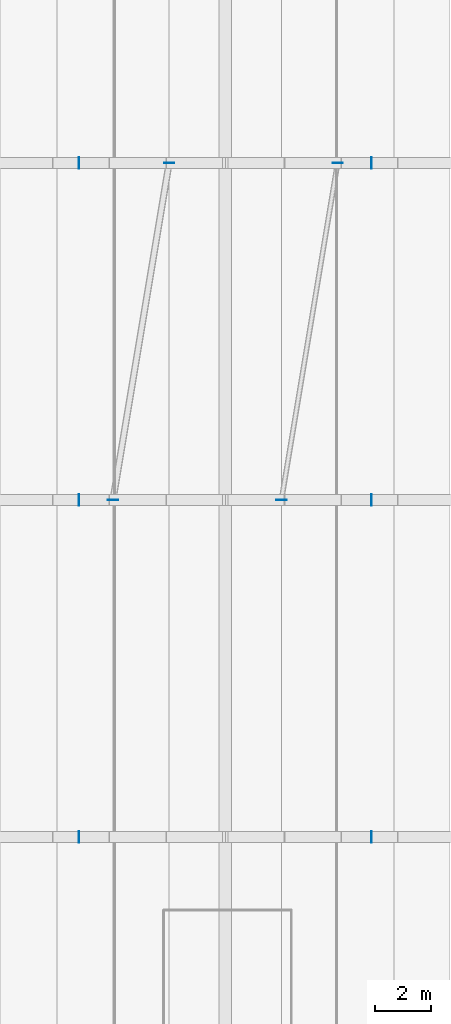
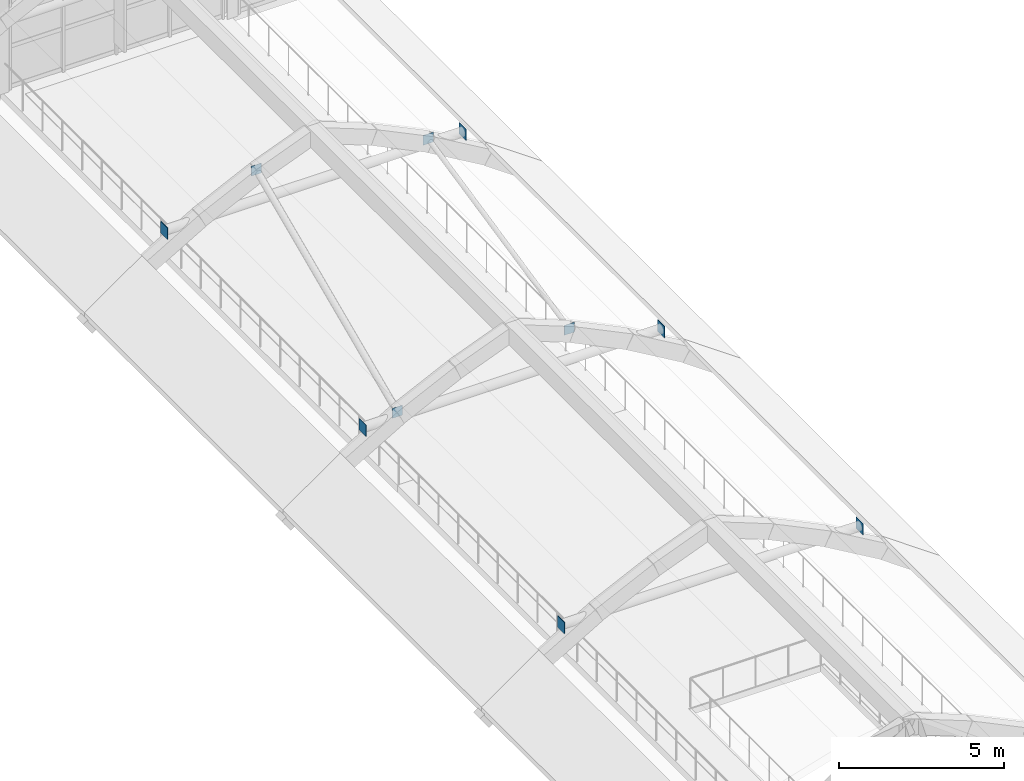
# One storey, part 56 of 82: 10 plates.
"""IFC4 building model written with IfcOpenShell, lengths in metres."""

from ifc_helpers import new_model, si_unit, direction, frame, origin, origin_2d, place, context, subcontext, project, spatial, rectangle, extrude, material, layer, layer_set, type_object, element, save


model = new_model("IFC4")

# Units and contexts
model_context = context("Model", 3, precision=1e-05, world=origin(), true_north=direction((0.0, 1.0)))
body_context = subcontext(model_context, "Body", "Model", "MODEL_VIEW")
ifc_project = project(units=[si_unit("LENGTHUNIT", "METRE"), si_unit("AREAUNIT", "SQUARE_METRE"), si_unit("VOLUMEUNIT", "CUBIC_METRE"), si_unit("PLANEANGLEUNIT", "RADIAN"), si_unit("MASSUNIT", "GRAM", prefix="KILO")], contexts=[model_context])

# Site, building, storey
site_placement = place(None, origin())
site = spatial("IfcSite", under=ifc_project, at=site_placement, CompositionType="ELEMENT")
building_placement = place(site_placement, origin())
building = spatial("IfcBuilding", under=site, at=building_placement, Name="Sitalva Quay Ferry Terminal", CompositionType="ELEMENT")
storey_placement = place(building_placement, frame((0.0, 0.0, 5.39990234375)))
storey = spatial("IfcBuildingStorey", under=building, at=storey_placement, Name="L02", CompositionType="ELEMENT", Elevation=5.39990234375)

# Plates
ifc_material_1 = material(Name="Structural Steel S355JR", Category="steel")
ifc_layer_1 = layer(ifc_material_1, 0.01611328125)
ifc_layer_set_1 = layer_set([ifc_layer_1], Name="Structural Steel S355JR")
plate_type_1 = type_object("IfcPlateType", Name="Gusset_360x360x16", PredefinedType="USERDEFINED", material=ifc_layer_set_1)
for number, where, z_axis, x_axis, name in (
    (1, (16.0, 54.0, 2.53076171875), (0.0, 0.0, 1.0), (1.0, 0.0, 0.0), "Vault V2 wind brace B5.4 S end plate"),
    (2, (18.0, 66.0, 3.4931640625), (0.0, 0.0, 1.0), (1.0, 0.0, 0.0), "Vault V2 wind brace B5.4 N end plate"),
    (3, (22.0, 54.0, 3.4931640625), (0.0, 0.0, 1.0), (1.0, 0.0, 0.0), "Vault V2 wind brace B5.7 S end plate"),
    (4, (24.0, 66.0, 2.53076171875), (0.0, 0.0, 1.0), (1.0, 0.0, 0.0), "Vault V2 wind brace B5.7 N end plate"),
):
    element("IfcPlate", number, at=place(storey_placement, frame(where, z_axis=z_axis, x_axis=x_axis)), inside=storey, type_object=plate_type_1, Name=name, ObjectType="FLANGE_PLATE", PredefinedType="USERDEFINED", context=body_context, shape_type="SweptSolid", body=[
        extrude(rectangle(XDim=0.360107421875, YDim=0.01611328125, at=origin_2d()), origin(), (0.0, 0.0, 1.0), 0.360107421875),
    ])
ifc_material_2 = material(Name="Structural Steel S355JR", Category="steel")
ifc_layer_2 = layer(ifc_material_2, 0.02197265625)
ifc_layer_set_2 = layer_set([ifc_layer_2], Name="Structural Steel S355JR")
plate_type_2 = type_object("IfcPlateType", Name="Gusset_420x420x22", PredefinedType="USERDEFINED", material=ifc_layer_set_2)
for number, where, z_axis, x_axis, name in (
    (5, (14.7890625, 42.0, 2.340087890625), (0.0, 0.0, 1.0), (1.0, 0.0, 0.0), "Vault V2 collar tie 4 west end plate"),
    (6, (25.2109375, 42.0, 2.340087890625), (0.0, 0.0, 1.0), (1.0, 0.0, 0.0), "Vault V2 collar tie 4 east end plate"),
    (7, (14.7890625, 54.0, 2.340087890625), (0.0, 0.0, 1.0), (1.0, 0.0, 0.0), "Vault V2 collar tie 5 west end plate"),
    (8, (25.2109375, 54.0, 2.340087890625), (0.0, 0.0, 1.0), (1.0, 0.0, 0.0), "Vault V2 collar tie 5 east end plate"),
    (9, (14.7890625, 66.0, 2.340087890625), (0.0, 0.0, 1.0), (1.0, 0.0, 0.0), "Vault V2 collar tie 6 west end plate"),
    (10, (25.2109375, 66.0, 2.340087890625), (0.0, 0.0, 1.0), (1.0, 0.0, 0.0), "Vault V2 collar tie 6 east end plate"),
):
    element("IfcPlate", number, at=place(storey_placement, frame(where, z_axis=z_axis, x_axis=x_axis)), inside=storey, type_object=plate_type_2, Name=name, ObjectType="FLANGE_PLATE", PredefinedType="USERDEFINED", context=body_context, shape_type="SweptSolid", body=[
        extrude(rectangle(XDim=0.02197265625, YDim=0.419921875, at=origin_2d()), origin(), (0.0, 0.0, 1.0), 0.419921875),
    ])

save(model, "model.ifc")
